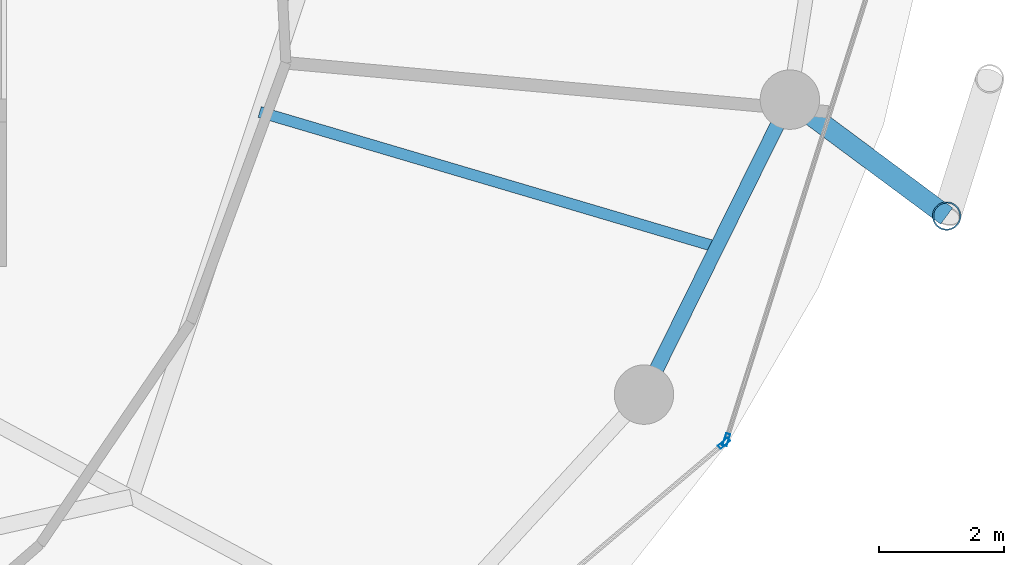
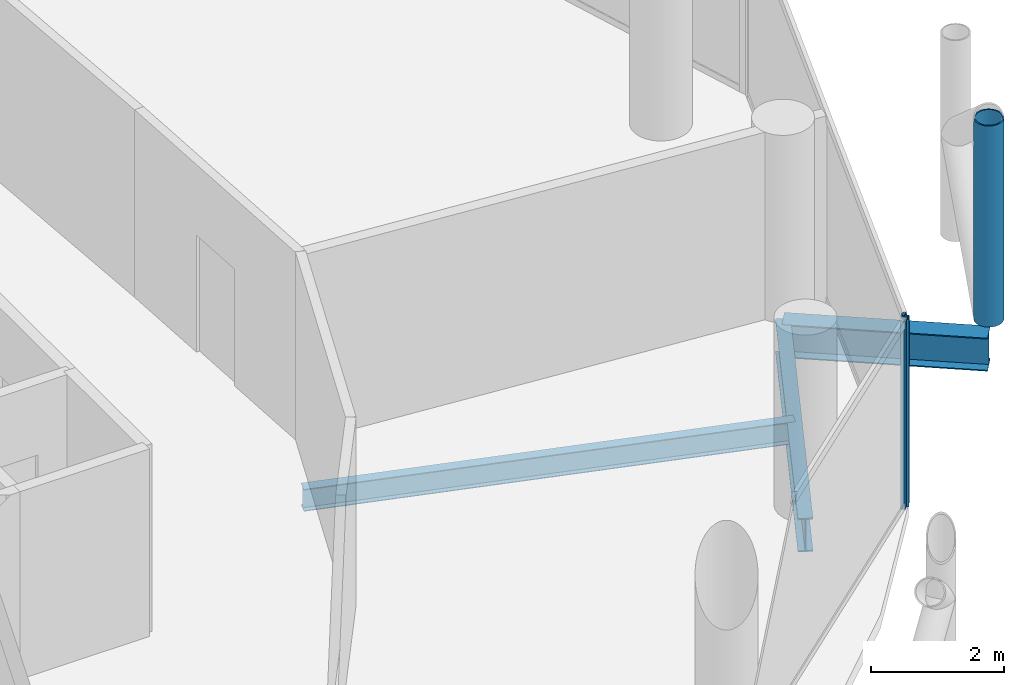
# One storey, part 10 of 26: 3 beams, 3 members, 2 elements without a shape of their own.
"""IFC4 building model written with IfcOpenShell, lengths in metres."""

from ifc_helpers import new_model, si_unit, direction, frame, origin, origin_2d, place, context, subcontext, project, spatial, hollow_rectangle, hollow_circle, i_section, extrude, material, layer, layer_set, material_profile, profile_set, type_object, element, aggregate, save


model = new_model("IFC4")

# Units and contexts
model_context = context("Model", 3, precision=1e-05, world=origin(), true_north=direction((0.0, 1.0)))
body_context = subcontext(model_context, "Body", "Model", "MODEL_VIEW")
ifc_project = project(units=[si_unit("LENGTHUNIT", "METRE"), si_unit("AREAUNIT", "SQUARE_METRE"), si_unit("VOLUMEUNIT", "CUBIC_METRE"), si_unit("PLANEANGLEUNIT", "RADIAN"), si_unit("MASSUNIT", "GRAM", prefix="KILO")], contexts=[model_context])

# Site, building, storey
site_placement = place(None, origin())
site = spatial("IfcSite", under=ifc_project, at=site_placement, CompositionType="ELEMENT")
building_placement = place(site_placement, origin())
building = spatial("IfcBuilding", under=site, at=building_placement, Name="Nuhasar Tower", CompositionType="ELEMENT")
storey_placement = place(building_placement, frame((0.0, 0.0, 162.64990234375)))
storey = spatial("IfcBuildingStorey", under=building, at=storey_placement, Name="L39", CompositionType="ELEMENT", Elevation=162.64990234375)

# Beams
ifc_material_1 = material(Name="Steel S355", Category="steel")
ifc_material_profile_1 = material_profile(ifc_material_1, i_section(OverallWidth=0.177978515625, OverallDepth=0.406005859375, WebThickness=0.0078125, FlangeThickness=0.0126953125, at=origin_2d()), Name="W16X40")
ifc_profile_set_1 = profile_set([ifc_material_profile_1], Name="Steel S355")
beam_type_1 = type_object("IfcBeamType", Name="BM-JST-W16X40", PredefinedType="JOIST", material=ifc_profile_set_1)
beam_1_placement = place(storey_placement, frame((53.0791015625, 21.54296875, -0.452880859375), z_axis=(0.959000494697, -0.283404395116, 0.0), x_axis=(0.283404395116, 0.959000494697, 0.0)))
element("IfcBeam", 1, at=beam_1_placement, inside=storey, type_object=beam_type_1, Name="L39 Secondary Floor Joist 03", PredefinedType="JOIST", context=body_context, shape_type="SweptSolid", body=[
    extrude(i_section(OverallWidth=0.177978515625, OverallDepth=0.406005859375, WebThickness=0.0078125, FlangeThickness=0.0126953125, at=origin_2d()), origin(), (0.0, 0.0, 1.0), 7.621337890625),
])
ifc_material_profile_2 = material_profile(ifc_material_1, i_section(OverallWidth=0.22998046875, OverallDepth=0.616943359375, WebThickness=0.01318359375, FlangeThickness=0.022216796875, at=origin_2d()), Name="W24X94")
ifc_profile_set_2 = profile_set([ifc_material_profile_2], Name="Steel S355")
beam_type_2 = type_object("IfcBeamType", Name="BM-RING-W24X94", PredefinedType="SPANDREL", material=ifc_profile_set_2)
beam_2_placement = place(storey_placement, frame((59.221923828125, 17.02490234375, -0.558837890625), z_axis=(0.443329327657, 0.896358804966, 0.0), x_axis=(-0.896358804966, 0.443329327657, 0.0)))
element("IfcBeam", 2, at=beam_2_placement, inside=storey, type_object=beam_type_2, Name="L39 Perimeter Ring Spandrel 23", PredefinedType="SPANDREL", context=body_context, shape_type="SweptSolid", body=[
    extrude(i_section(OverallWidth=0.22998046875, OverallDepth=0.616943359375, WebThickness=0.01318359375, FlangeThickness=0.022216796875, at=origin_2d()), origin(), (0.0, 0.0, 1.0), 5.26025390625),
])
ifc_material_profile_3 = material_profile(ifc_material_1, i_section(OverallWidth=0.323974609375, OverallDepth=0.611083984375, WebThickness=0.0126953125, FlangeThickness=0.01904296875, at=origin_2d()), Name="W24X104")
ifc_profile_set_3 = profile_set([ifc_material_profile_3], Name="Steel S355")
beam_type_3 = type_object("IfcBeamType", Name="BM-TIE-W24X104", PredefinedType="BEAM", material=ifc_profile_set_3)
beam_3_placement = place(storey_placement, frame((61.553955078125, 21.739990234375, -0.554931640625), z_axis=(0.80283476238, -0.596201597041, 0.0), x_axis=(0.596201597041, 0.80283476238, 0.0)))
element("IfcBeam", 3, at=beam_3_placement, inside=storey, type_object=beam_type_3, Name="L39 Exoskeleton Node Tie Beam 12", PredefinedType="BEAM", context=body_context, shape_type="SweptSolid", body=[
    extrude(i_section(OverallWidth=0.323974609375, OverallDepth=0.611083984375, WebThickness=0.0126953125, FlangeThickness=0.01904296875, at=origin_2d()), origin(), (0.0, 0.0, 1.0), 3.12158203125),
])

# Curtain wall, member
ifc_material_2 = material(Name="Aluminium 6063-T6", Category="aluminium")
ifc_layer = layer(ifc_material_2, 0.199951171875)
ifc_layer_set = layer_set([ifc_layer], Name="Aluminium 6063-T6")
curtain_wall_type = type_object("IfcCurtainWallType", Name="CW-Z2-HTL", PredefinedType="NOTDEFINED", material=ifc_layer_set)
curtain_wall_1_placement = place(storey_placement, origin())
curtain_wall_1 = element("IfcCurtainWall", 4, at=curtain_wall_1_placement, inside=storey, type_object=curtain_wall_type, Name="L39 Unitised Curtain Wall 11", PredefinedType="NOTDEFINED")
ifc_material_profile_4 = material_profile(ifc_material_2, hollow_rectangle(XDim=0.070068359375, YDim=0.199951171875, WallThickness=0.0048828125, at=origin_2d()), Name="CWM-3")
ifc_profile_set_4 = profile_set([ifc_material_profile_4], Name="Aluminium 6063-T6")
member_type_1 = type_object("IfcMemberType", Name="CW-MUL-S3", PredefinedType="MULLION", material=ifc_profile_set_4)
member_1_placement = place(storey_placement, frame((60.502197265625, 16.247314453125, 0.0), z_axis=(0.0, 0.0, 1.0), x_axis=(-0.646374438324, 0.763020370292, 0.0)))
member_1 = element("IfcMember", 5, at=member_1_placement, type_object=member_type_1, Name="CW-Z2 mullion 2", PredefinedType="MULLION", context=body_context, shape_type="SweptSolid", body=[
    extrude(hollow_rectangle(XDim=0.070068359375, YDim=0.199951171875, WallThickness=0.0048828125, at=origin_2d()), origin(), (0.0, 0.0, 1.0), 3.4501953125),
])
aggregate(curtain_wall_1, [member_1])

curtain_wall_2_placement = place(storey_placement, origin())
curtain_wall_2 = element("IfcCurtainWall", 6, at=curtain_wall_2_placement, inside=storey, type_object=curtain_wall_type, Name="L39 Unitised Curtain Wall 12", PredefinedType="NOTDEFINED")
member_2_placement = place(storey_placement, frame((60.53955078125, 16.303466796875, 0.0), z_axis=(0.0, 0.0, 1.0), x_axis=(-0.953433389233, 0.301603667577, 0.0)))
member_2 = element("IfcMember", 7, at=member_2_placement, type_object=member_type_1, Name="CW-Z2 mullion 1", PredefinedType="MULLION", context=body_context, shape_type="SweptSolid", body=[
    extrude(hollow_rectangle(XDim=0.070068359375, YDim=0.199951171875, WallThickness=0.0048828125, at=origin_2d()), origin(), (0.0, 0.0, 1.0), 3.4501953125),
])
aggregate(curtain_wall_2, [member_2])

# Member
ifc_material_3 = material(Name="Steel S460", Category="steel")
ifc_material_profile_5 = material_profile(ifc_material_3, hollow_circle(Radius=0.228515625, WallThickness=0.022216796875, at=origin_2d()), Name="HSS457X22.2")
ifc_profile_set_5 = profile_set([ifc_material_profile_5], Name="Steel S460")
member_type_2 = type_object("IfcMemberType", Name="EXO-BRONZE-457", PredefinedType="BRACE", material=ifc_profile_set_5)
member_3_placement = place(storey_placement, frame((64.06005859375, 19.87890625, 0.0), z_axis=(0.0, 0.0, 1.0), x_axis=(1.0, 0.0, 0.0)))
element("IfcMember", 8, at=member_3_placement, inside=storey, type_object=member_type_2, Name="L39 Exoskeleton Chord Column EC-12A", PredefinedType="BRACE", context=body_context, shape_type="SweptSolid", body=[
    extrude(hollow_circle(Radius=0.228515625, WallThickness=0.022216796875, at=origin_2d()), origin(), (0.0, 0.0, 1.0), 3.7001953125),
])

save(model, "model.ifc")
